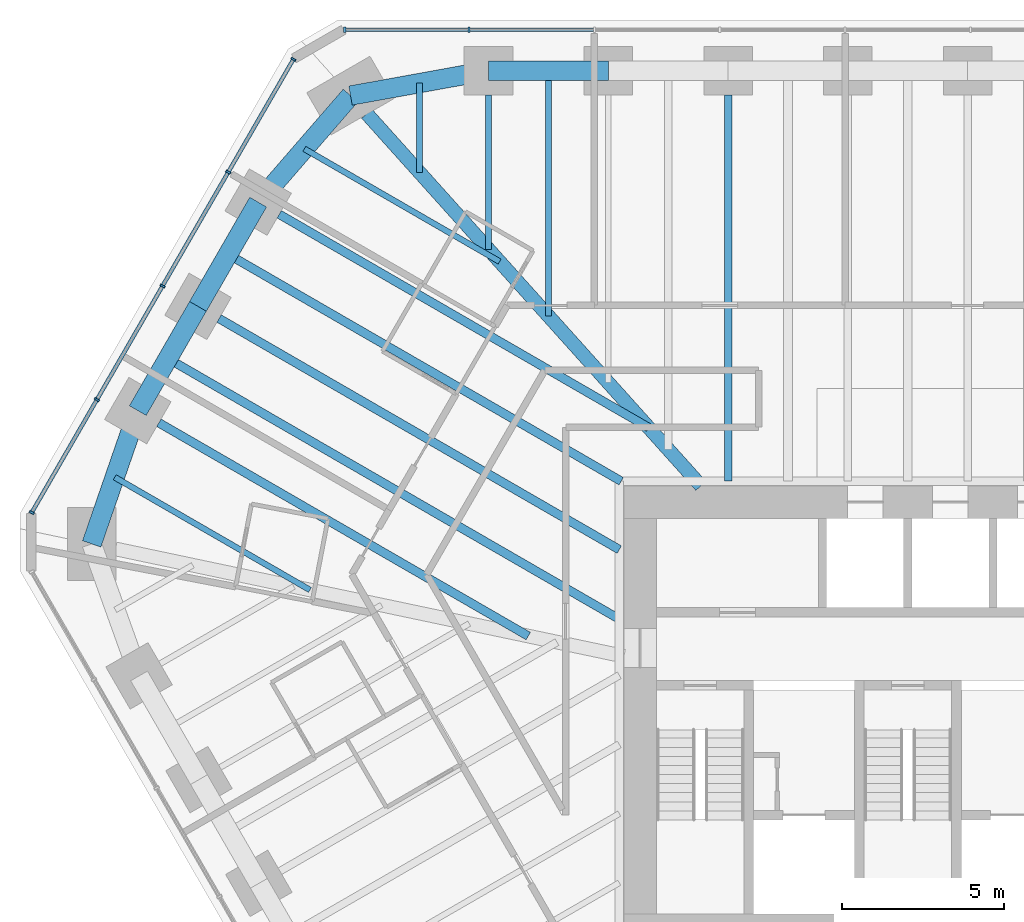
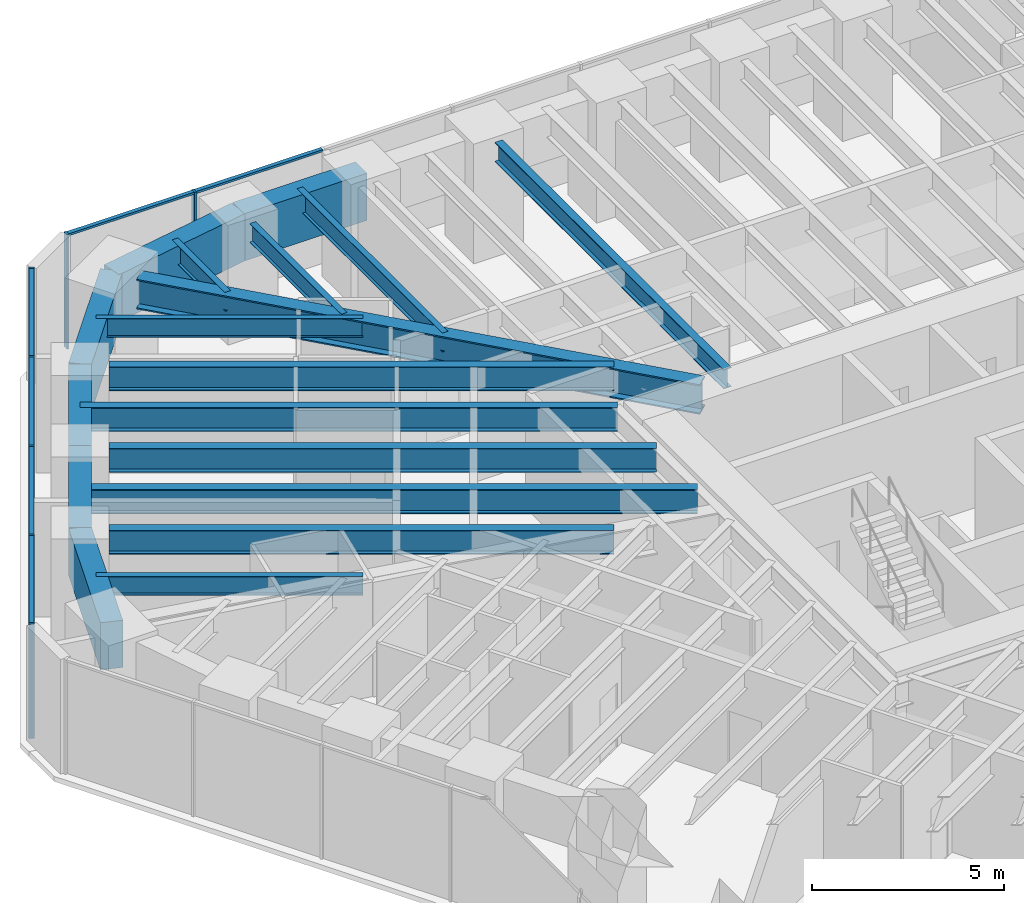
# One storey, part 7 of 16: 18 beams, 13 members, 2 elements without a shape of their own.
"""IFC4 building model written with IfcOpenShell, lengths in metres."""

from ifc_helpers import new_model, si_unit, direction, frame, origin, origin_2d, place, context, subcontext, project, spatial, rectangle, i_section, extrude, material, material_profile, profile_set, type_object, element, aggregate, save


model = new_model("IFC4")

# Units and contexts
model_context = context("Model", 3, precision=1e-05, world=origin(), true_north=direction((0.0, 1.0)))
body_context = subcontext(model_context, "Body", "Model", "MODEL_VIEW")
ifc_project = project(units=[si_unit("LENGTHUNIT", "METRE"), si_unit("AREAUNIT", "SQUARE_METRE"), si_unit("VOLUMEUNIT", "CUBIC_METRE"), si_unit("PLANEANGLEUNIT", "RADIAN"), si_unit("MASSUNIT", "GRAM", prefix="KILO")], contexts=[model_context])

# Site, building, storey
site_placement = place(None, origin())
site = spatial("IfcSite", under=ifc_project, at=site_placement, CompositionType="ELEMENT")
building_placement = place(site_placement, origin())
building = spatial("IfcBuilding", under=site, at=building_placement, Name="Sandreach Pilgrim Tower", CompositionType="ELEMENT")
storey_placement = place(building_placement, frame((0.0, 0.0, 225.0)))
storey = spatial("IfcBuildingStorey", under=building, at=storey_placement, Name="L56", CompositionType="ELEMENT", Elevation=225.0)

# Curtain wall, members
ifc_material_1 = material(Name="Aluminium framed curtain wall", Category="aluminium")
curtain_wall_type = type_object("IfcCurtainWallType", Name="Upper hotel tower curtain wall", PredefinedType="NOTDEFINED", material=ifc_material_1)
curtain_wall_1_placement = place(storey_placement, origin())
curtain_wall_1 = element("IfcCurtainWall", 1, at=curtain_wall_1_placement, inside=storey, type_object=curtain_wall_type, Name="CW-3 L56 N", PredefinedType="NOTDEFINED")
ifc_material_2 = material(Name="Aluminium extrusion", Category="aluminium")
ifc_material_profile_1 = material_profile(ifc_material_2, rectangle(XDim=0.06494140625, YDim=0.159912109375, at=origin_2d()), Name="CW-3M 65X160")
ifc_profile_set_1 = profile_set([ifc_material_profile_1], Name="Aluminium extrusion")
member_type_1 = type_object("IfcMemberType", Name="CW-3 mullion", PredefinedType="MULLION", material=ifc_profile_set_1)
member_1_placement = place(storey_placement, frame((-17.357421875, 21.16015625, 0.0), z_axis=(0.0, 0.0, 1.0), x_axis=(1.0, 0.0, 0.0)))
member_1 = element("IfcMember", 2, at=member_1_placement, type_object=member_type_1, Name="CW-3 mullion 1", PredefinedType="MULLION", context=body_context, shape_type="SweptSolid", body=[
    extrude(rectangle(XDim=0.06494140625, YDim=0.159912109375, at=origin_2d()), origin(), (0.0, 0.0, 1.0), 3.639892578125),
])
member_2_placement = place(storey_placement, frame((-13.525390625, 21.16015625, 0.0), z_axis=(0.0, 0.0, 1.0), x_axis=(1.0, 0.0, 0.0)))
member_2 = element("IfcMember", 3, at=member_2_placement, type_object=member_type_1, Name="CW-3 mullion 2", PredefinedType="MULLION", context=body_context, shape_type="SweptSolid", body=[
    extrude(rectangle(XDim=0.06494140625, YDim=0.159912109375, at=origin_2d()), origin(), (0.0, 0.0, 1.0), 3.639892578125),
])

curtain_wall_2_placement = place(storey_placement, origin())
curtain_wall_2 = element("IfcCurtainWall", 4, at=curtain_wall_2_placement, inside=storey, type_object=curtain_wall_type, Name="CW-3 L56 NW", PredefinedType="NOTDEFINED")
member_3_placement = place(storey_placement, frame((-27.00390625, 6.278076171875, 0.0), z_axis=(0.0, 0.0, 1.0), x_axis=(0.5, 0.866025403784, 0.0)))
member_3 = element("IfcMember", 5, at=member_3_placement, type_object=member_type_1, Name="CW-3 mullion 1", PredefinedType="MULLION", context=body_context, shape_type="SweptSolid", body=[
    extrude(rectangle(XDim=0.06494140625, YDim=0.159912109375, at=origin_2d()), origin(), (0.0, 0.0, 1.0), 3.639892578125),
])
member_4_placement = place(storey_placement, frame((-24.995849609375, 9.75634765625, 0.0), z_axis=(0.0, 0.0, 1.0), x_axis=(0.5, 0.866025403784, 0.0)))
member_4 = element("IfcMember", 6, at=member_4_placement, type_object=member_type_1, Name="CW-3 mullion 2", PredefinedType="MULLION", context=body_context, shape_type="SweptSolid", body=[
    extrude(rectangle(XDim=0.06494140625, YDim=0.159912109375, at=origin_2d()), origin(), (0.0, 0.0, 1.0), 3.639892578125),
])
member_5_placement = place(storey_placement, frame((-22.971435546875, 13.262451171875, 0.0), z_axis=(0.0, 0.0, 1.0), x_axis=(0.5, 0.866025403784, 0.0)))
member_5 = element("IfcMember", 7, at=member_5_placement, type_object=member_type_1, Name="CW-3 mullion 3", PredefinedType="MULLION", context=body_context, shape_type="SweptSolid", body=[
    extrude(rectangle(XDim=0.06494140625, YDim=0.159912109375, at=origin_2d()), origin(), (0.0, 0.0, 1.0), 3.639892578125),
])
member_6_placement = place(storey_placement, frame((-20.947021484375, 16.768798828125, 0.0), z_axis=(0.0, 0.0, 1.0), x_axis=(0.5, 0.866025403784, 0.0)))
member_6 = element("IfcMember", 8, at=member_6_placement, type_object=member_type_1, Name="CW-3 mullion 4", PredefinedType="MULLION", context=body_context, shape_type="SweptSolid", body=[
    extrude(rectangle(XDim=0.06494140625, YDim=0.159912109375, at=origin_2d()), origin(), (0.0, 0.0, 1.0), 3.639892578125),
])
member_7_placement = place(storey_placement, frame((-18.93896484375, 20.2470703125, 0.0), z_axis=(0.0, 0.0, 1.0), x_axis=(0.5, 0.866025403784, 0.0)))
member_7 = element("IfcMember", 9, at=member_7_placement, type_object=member_type_1, Name="CW-3 mullion 5", PredefinedType="MULLION", context=body_context, shape_type="SweptSolid", body=[
    extrude(rectangle(XDim=0.06494140625, YDim=0.159912109375, at=origin_2d()), origin(), (0.0, 0.0, 1.0), 3.639892578125),
])

# Member
ifc_material_3 = material(Name="Aluminium extrusion", Category="aluminium")
ifc_material_profile_2 = material_profile(ifc_material_3, rectangle(XDim=0.1201171875, YDim=0.070068359375, at=origin_2d()), Name="CW-3T 120X70")
ifc_profile_set_2 = profile_set([ifc_material_profile_2], Name="Aluminium extrusion")
member_type_2 = type_object("IfcMemberType", Name="CW-3 transom", PredefinedType="USERDEFINED", material=ifc_profile_set_2)
member_8_placement = place(storey_placement, frame((-17.324951171875, 21.16015625, 3.60498046875), z_axis=(1.0, 0.0, 0.0), x_axis=(0.0, 1.0, 0.0)))
member_8 = element("IfcMember", 10, at=member_8_placement, type_object=member_type_2, Name="CW-3 head transom 1", ObjectType="TRANSOM", PredefinedType="USERDEFINED", context=body_context, shape_type="SweptSolid", body=[
    extrude(rectangle(XDim=0.1201171875, YDim=0.070068359375, at=origin_2d()), origin(), (0.0, 0.0, 1.0), 3.76708984375),
])

member_9_placement = place(storey_placement, frame((-13.492919921875, 21.16015625, 3.60498046875), z_axis=(1.0, 0.0, 0.0), x_axis=(0.0, 1.0, 0.0)))
member_9 = element("IfcMember", 11, at=member_9_placement, type_object=member_type_2, Name="CW-3 head transom 2", ObjectType="TRANSOM", PredefinedType="USERDEFINED", context=body_context, shape_type="SweptSolid", body=[
    extrude(rectangle(XDim=0.1201171875, YDim=0.070068359375, at=origin_2d()), origin(), (0.0, 0.0, 1.0), 3.79931640625),
])

aggregate(curtain_wall_1, [member_1, member_2, member_8, member_9])

member_10_placement = place(storey_placement, frame((-26.987548828125, 6.306396484375, 3.60498046875), z_axis=(0.499993448556, 0.866029186229, 0.0), x_axis=(-0.866029186229, 0.499993448556, 0.0)))
member_10 = element("IfcMember", 12, at=member_10_placement, type_object=member_type_2, Name="CW-3 head transom 1", ObjectType="TRANSOM", PredefinedType="USERDEFINED", context=body_context, shape_type="SweptSolid", body=[
    extrude(rectangle(XDim=0.1201171875, YDim=0.070068359375, at=origin_2d()), origin(), (0.0, 0.0, 1.0), 3.951171875),
])

member_11_placement = place(storey_placement, frame((-24.9794921875, 9.784423828125, 3.60498046875), z_axis=(0.499975332564, 0.866039645067, 0.0), x_axis=(-0.866039645067, 0.499975332564, 0.0)))
member_11 = element("IfcMember", 13, at=member_11_placement, type_object=member_type_2, Name="CW-3 head transom 2", ObjectType="TRANSOM", PredefinedType="USERDEFINED", context=body_context, shape_type="SweptSolid", body=[
    extrude(rectangle(XDim=0.1201171875, YDim=0.070068359375, at=origin_2d()), origin(), (0.0, 0.0, 1.0), 3.983642578125),
])

member_12_placement = place(storey_placement, frame((-22.955078125, 13.290771484375, 3.60498046875), z_axis=(0.499975332564, 0.866039645067, 0.0), x_axis=(-0.866039645067, 0.499975332564, 0.0)))
member_12 = element("IfcMember", 14, at=member_12_placement, type_object=member_type_2, Name="CW-3 head transom 3", ObjectType="TRANSOM", PredefinedType="USERDEFINED", context=body_context, shape_type="SweptSolid", body=[
    extrude(rectangle(XDim=0.1201171875, YDim=0.070068359375, at=origin_2d()), origin(), (0.0, 0.0, 1.0), 3.983642578125),
])

member_13_placement = place(storey_placement, frame((-20.930908203125, 16.796875, 3.60498046875), z_axis=(0.499993448556, 0.866029186229, 0.0), x_axis=(-0.866029186229, 0.499993448556, 0.0)))
member_13 = element("IfcMember", 15, at=member_13_placement, type_object=member_type_2, Name="CW-3 head transom 4", ObjectType="TRANSOM", PredefinedType="USERDEFINED", context=body_context, shape_type="SweptSolid", body=[
    extrude(rectangle(XDim=0.1201171875, YDim=0.070068359375, at=origin_2d()), origin(), (0.0, 0.0, 1.0), 3.951171875),
])

aggregate(curtain_wall_2, [member_3, member_4, member_5, member_6, member_7, member_10, member_11, member_12, member_13])

# Beams
ifc_material_4 = material(Name="Steel ASTM A992 Grade 50", Category="steel")
ifc_material_profile_3 = material_profile(ifc_material_4, i_section(OverallWidth=0.424072265625, OverallDepth=0.947509765625, WebThickness=0.02392578125, FlangeThickness=0.042724609375, at=origin_2d()), Name="W36X302")
ifc_profile_set_3 = profile_set([ifc_material_profile_3], Name="Steel ASTM A992 Grade 50")
beam_type_1 = type_object("IfcBeamType", Name="Corner girder W36X302", PredefinedType="BEAM", material=ifc_profile_set_3)
beam_1_placement = place(storey_placement, frame((-16.677001953125, 18.572509765625, 3.166259765625), z_axis=(0.668116607722, -0.744056582853, 0.0), x_axis=(0.744056582853, 0.668116607722, 0.0)))
element("IfcBeam", 16, at=beam_1_placement, inside=storey, type_object=beam_type_1, Name="BM L56 CG39", PredefinedType="BEAM", context=body_context, shape_type="SweptSolid", body=[
    extrude(i_section(OverallWidth=0.424072265625, OverallDepth=0.947509765625, WebThickness=0.02392578125, FlangeThickness=0.042724609375, at=origin_2d()), origin(), (0.0, 0.0, 1.0), 15.418701171875),
])
ifc_material_5 = material(Name="Steel ASTM A992 Grade 50", Category="steel")
ifc_material_profile_4 = material_profile(ifc_material_5, i_section(OverallWidth=0.1787109375, OverallDepth=0.60205078125, WebThickness=0.010986328125, FlangeThickness=0.014892578125, at=origin_2d()), Name="W24X62")
ifc_profile_set_4 = profile_set([ifc_material_profile_4], Name="Steel ASTM A992 Grade 50")
beam_type_2 = type_object("IfcBeamType", Name="Floor beam W24X62", PredefinedType="BEAM", material=ifc_profile_set_4)
beam_2_placement = place(storey_placement, frame((-12.923828125, 19.150146484375, 3.339111328125), z_axis=(0.0, -1.0, 0.0), x_axis=(1.0, 0.0, 0.0)))
element("IfcBeam", 17, at=beam_2_placement, inside=storey, type_object=beam_type_2, Name="BM L56 F01", PredefinedType="BEAM", context=body_context, shape_type="SweptSolid", body=[
    extrude(i_section(OverallWidth=0.1787109375, OverallDepth=0.60205078125, WebThickness=0.010986328125, FlangeThickness=0.014892578125, at=origin_2d()), origin(), (0.0, 0.0, 1.0), 4.757568359375),
])
beam_3_placement = place(storey_placement, frame((-11.077392578125, 19.900146484375, 3.339111328125), z_axis=(0.0, -1.0, 0.0), x_axis=(1.0, 0.0, 0.0)))
element("IfcBeam", 18, at=beam_3_placement, inside=storey, type_object=beam_type_2, Name="BM L56 FM01", PredefinedType="BEAM", context=body_context, shape_type="SweptSolid", body=[
    extrude(i_section(OverallWidth=0.1787109375, OverallDepth=0.60205078125, WebThickness=0.010986328125, FlangeThickness=0.014892578125, at=origin_2d()), origin(), (0.0, 0.0, 1.0), 7.563720703125),
])
for number, where, z_axis, x_axis, name in (
    (19, (-24.446044921875, 7.365234375, 3.339111328125), (0.866029381593, -0.499993110171, 0.0), (0.499993110171, 0.866029381593, 0.0), "BM L56 FM35"),
    (20, (-18.6015625, 17.48828125, 3.339111328125), (0.866029381593, -0.499993110171, 0.0), (0.499993110171, 0.866029381593, 0.0), "BM L56 FM38"),
):
    element("IfcBeam", number, at=place(storey_placement, frame(where, z_axis=z_axis, x_axis=x_axis)), inside=storey, type_object=beam_type_2, Name=name, PredefinedType="BEAM", context=body_context, shape_type="SweptSolid", body=[
        extrude(i_section(OverallWidth=0.1787109375, OverallDepth=0.60205078125, WebThickness=0.010986328125, FlangeThickness=0.014892578125, at=origin_2d()), origin(), (0.0, 0.0, 1.0), 6.94921875),
    ])
beam_4_placement = place(storey_placement, frame((-15.05078125, 19.515380859375, 3.339111328125), z_axis=(0.0, -1.0, 0.0), x_axis=(1.0, 0.0, 0.0)))
element("IfcBeam", 21, at=beam_4_placement, inside=storey, type_object=beam_type_2, Name="BM L56 FM39", PredefinedType="BEAM", context=body_context, shape_type="SweptSolid", body=[
    extrude(i_section(OverallWidth=0.1787109375, OverallDepth=0.60205078125, WebThickness=0.010986328125, FlangeThickness=0.014892578125, at=origin_2d()), origin(), (0.0, 0.0, 1.0), 2.75390625),
])
ifc_material_6 = material(Name="Steel ASTM A992 Grade 50", Category="steel")
ifc_material_profile_5 = material_profile(ifc_material_6, i_section(OverallWidth=0.23046875, OverallDepth=0.6171875, WebThickness=0.01318359375, FlangeThickness=0.022216796875, at=origin_2d()), Name="W24X94")
ifc_profile_set_5 = profile_set([ifc_material_profile_5], Name="Steel ASTM A992 Grade 50")
beam_type_3 = type_object("IfcBeamType", Name="Floor beam W24X94", PredefinedType="BEAM", material=ifc_profile_set_5)
beam_5_placement = place(storey_placement, frame((-5.538818359375, 19.150146484375, 3.331298828125), z_axis=(0.0, -1.0, 0.0), x_axis=(1.0, 0.0, 0.0)))
element("IfcBeam", 22, at=beam_5_placement, inside=storey, type_object=beam_type_3, Name="BM L56 F03", PredefinedType="BEAM", context=body_context, shape_type="SweptSolid", body=[
    extrude(i_section(OverallWidth=0.23046875, OverallDepth=0.6171875, WebThickness=0.01318359375, FlangeThickness=0.022216796875, at=origin_2d()), origin(), (0.0, 0.0, 1.0), 11.90673828125),
])
ifc_material_7 = material(Name="Steel ASTM A992 Grade 50", Category="steel")
ifc_material_profile_6 = material_profile(ifc_material_7, i_section(OverallWidth=0.2666015625, OverallDepth=0.761962890625, WebThickness=0.014404296875, FlangeThickness=0.021484375, at=origin_2d()), Name="W30X116")
ifc_profile_set_6 = profile_set([ifc_material_profile_6], Name="Steel ASTM A992 Grade 50")
beam_type_4 = type_object("IfcBeamType", Name="Floor beam W30X116", PredefinedType="BEAM", material=ifc_profile_set_6)
beam_6_placement = place(storey_placement, frame((-23.0859375, 9.044189453125, 3.259033203125), z_axis=(0.866026962808, -0.499997299682, 0.0), x_axis=(0.499997299682, 0.866026962808, 0.0)))
element("IfcBeam", 23, at=beam_6_placement, inside=storey, type_object=beam_type_4, Name="BM L56 F36", PredefinedType="BEAM", context=body_context, shape_type="SweptSolid", body=[
    extrude(i_section(OverallWidth=0.2666015625, OverallDepth=0.761962890625, WebThickness=0.014404296875, FlangeThickness=0.021484375, at=origin_2d()), origin(), (0.0, 0.0, 1.0), 13.1484375),
])
beam_7_placement = place(storey_placement, frame((-21.230712890625, 12.257568359375, 3.259033203125), z_axis=(0.866024056942, -0.500002332792, 0.0), x_axis=(0.500002332792, 0.866024056942, 0.0)))
element("IfcBeam", 24, at=beam_7_placement, inside=storey, type_object=beam_type_4, Name="BM L56 F37", PredefinedType="BEAM", context=body_context, shape_type="SweptSolid", body=[
    extrude(i_section(OverallWidth=0.2666015625, OverallDepth=0.761962890625, WebThickness=0.014404296875, FlangeThickness=0.021484375, at=origin_2d()), origin(), (0.0, 0.0, 1.0), 14.24609375),
])
beam_8_placement = place(storey_placement, frame((-19.37548828125, 15.470947265625, 3.259033203125), z_axis=(0.866022320763, -0.500005339912, 0.0), x_axis=(0.500005339912, 0.866022320763, 0.0)))
element("IfcBeam", 25, at=beam_8_placement, inside=storey, type_object=beam_type_4, Name="BM L56 F38", PredefinedType="BEAM", context=body_context, shape_type="SweptSolid", body=[
    extrude(i_section(OverallWidth=0.2666015625, OverallDepth=0.761962890625, WebThickness=0.014404296875, FlangeThickness=0.021484375, at=origin_2d()), origin(), (0.0, 0.0, 1.0), 13.148193359375),
])
beam_9_placement = place(storey_placement, frame((-20.95263671875, 14.2392578125, 3.259033203125), z_axis=(0.866025770688, -0.499999364504, 0.0), x_axis=(0.499999364504, 0.866025770688, 0.0)))
element("IfcBeam", 26, at=beam_9_placement, inside=storey, type_object=beam_type_4, Name="BM L56 FM37", PredefinedType="BEAM", context=body_context, shape_type="SweptSolid", body=[
    extrude(i_section(OverallWidth=0.2666015625, OverallDepth=0.761962890625, WebThickness=0.014404296875, FlangeThickness=0.021484375, at=origin_2d()), origin(), (0.0, 0.0, 1.0), 13.99169921875),
])
ifc_material_8 = material(Name="Steel ASTM A992 Grade 50", Category="steel")
ifc_material_profile_7 = material_profile(ifc_material_8, i_section(OverallWidth=0.2666015625, OverallDepth=0.77978515625, WebThickness=0.0166015625, FlangeThickness=0.030029296875, at=origin_2d()), Name="W30X148")
ifc_profile_set_7 = profile_set([ifc_material_profile_7], Name="Steel ASTM A992 Grade 50")
beam_type_5 = type_object("IfcBeamType", Name="Floor beam W30X148", PredefinedType="BEAM", material=ifc_profile_set_7)
beam_10_placement = place(storey_placement, frame((-22.807861328125, 11.02587890625, 3.25), z_axis=(0.866028701771, -0.499994287676, 0.0), x_axis=(0.499994287676, 0.866028701771, 0.0)))
element("IfcBeam", 27, at=beam_10_placement, inside=storey, type_object=beam_type_5, Name="BM L56 FM36", PredefinedType="BEAM", context=body_context, shape_type="SweptSolid", body=[
    extrude(i_section(OverallWidth=0.2666015625, OverallDepth=0.77978515625, WebThickness=0.0166015625, FlangeThickness=0.030029296875, at=origin_2d()), origin(), (0.0, 0.0, 1.0), 16.067138671875),
])
ifc_material_9 = material(Name="Concrete 10000 psi", Category="concrete")
ifc_material_profile_8 = material_profile(ifc_material_9, rectangle(XDim=0.60009765625, YDim=1.5, at=origin_2d()), Name="RC600X1500")
ifc_profile_set_8 = profile_set([ifc_material_profile_8], Name="Concrete 10000 psi")
beam_type_6 = type_object("IfcBeamType", Name="Spandrel beam RC600X1500", PredefinedType="SPANDREL", material=ifc_profile_set_8)
beam_11_placement = place(storey_placement, frame((-12.923828125, 19.900146484375, 2.889892578125), z_axis=(1.0, 0.0, 0.0), x_axis=(0.0, 1.0, 0.0)))
element("IfcBeam", 28, at=beam_11_placement, inside=storey, type_object=beam_type_6, Name="BM L56 SP01", PredefinedType="SPANDREL", context=body_context, shape_type="SweptSolid", body=[
    extrude(rectangle(XDim=0.60009765625, YDim=1.5, at=origin_2d()), origin(), (0.0, 0.0, 1.0), 3.692626953125),
])
beam_12_placement = place(storey_placement, frame((-25.156494140625, 5.311279296875, 2.889892578125), z_axis=(0.326940800053, 0.945044820768, 0.0), x_axis=(-0.945044820768, 0.326940800053, 0.0)))
element("IfcBeam", 29, at=beam_12_placement, inside=storey, type_object=beam_type_6, Name="BM L56 SP35", PredefinedType="SPANDREL", context=body_context, shape_type="SweptSolid", body=[
    extrude(rectangle(XDim=0.60009765625, YDim=1.5, at=origin_2d()), origin(), (0.0, 0.0, 1.0), 4.3466796875),
])
for number, where, z_axis, x_axis, name in (
    (30, (-23.7353515625, 9.419189453125, 2.889892578125), (0.499946491854, 0.866056294523, 0.0), (-0.866056294523, 0.499946491854, 0.0), "BM L56 SP36"),
    (31, (-21.88037109375, 12.632568359375, 2.889892578125), (0.499995842751, 0.86602780396, 0.0), (-0.86602780396, 0.499995842751, 0.0), "BM L56 SP37"),
):
    element("IfcBeam", number, at=place(storey_placement, frame(where, z_axis=z_axis, x_axis=x_axis)), inside=storey, type_object=beam_type_6, Name=name, PredefinedType="SPANDREL", context=body_context, shape_type="SweptSolid", body=[
        extrude(rectangle(XDim=0.60009765625, YDim=1.5, at=origin_2d()), origin(), (0.0, 0.0, 1.0), 3.71044921875),
    ])
beam_13_placement = place(storey_placement, frame((-20.025146484375, 15.845947265625, 2.889892578125), z_axis=(0.65499040715, 0.755637192402, 0.0), x_axis=(-0.755637192402, 0.65499040715, 0.0)))
element("IfcBeam", 32, at=beam_13_placement, inside=storey, type_object=beam_type_6, Name="BM L56 SP38", PredefinedType="SPANDREL", context=body_context, shape_type="SweptSolid", body=[
    extrude(rectangle(XDim=0.60009765625, YDim=1.5, at=origin_2d()), origin(), (0.0, 0.0, 1.0), 4.346923828125),
])
beam_14_placement = place(storey_placement, frame((-17.177978515625, 19.130615234375, 2.889892578125), z_axis=(0.984030345637, 0.178000783326, 0.0), x_axis=(-0.178000783326, 0.984030345637, 0.0)))
element("IfcBeam", 33, at=beam_14_placement, inside=storey, type_object=beam_type_6, Name="BM L56 SP39", PredefinedType="SPANDREL", context=body_context, shape_type="SweptSolid", body=[
    extrude(rectangle(XDim=0.60009765625, YDim=1.5, at=origin_2d()), origin(), (0.0, 0.0, 1.0), 4.3232421875),
])

save(model, "model.ifc")
